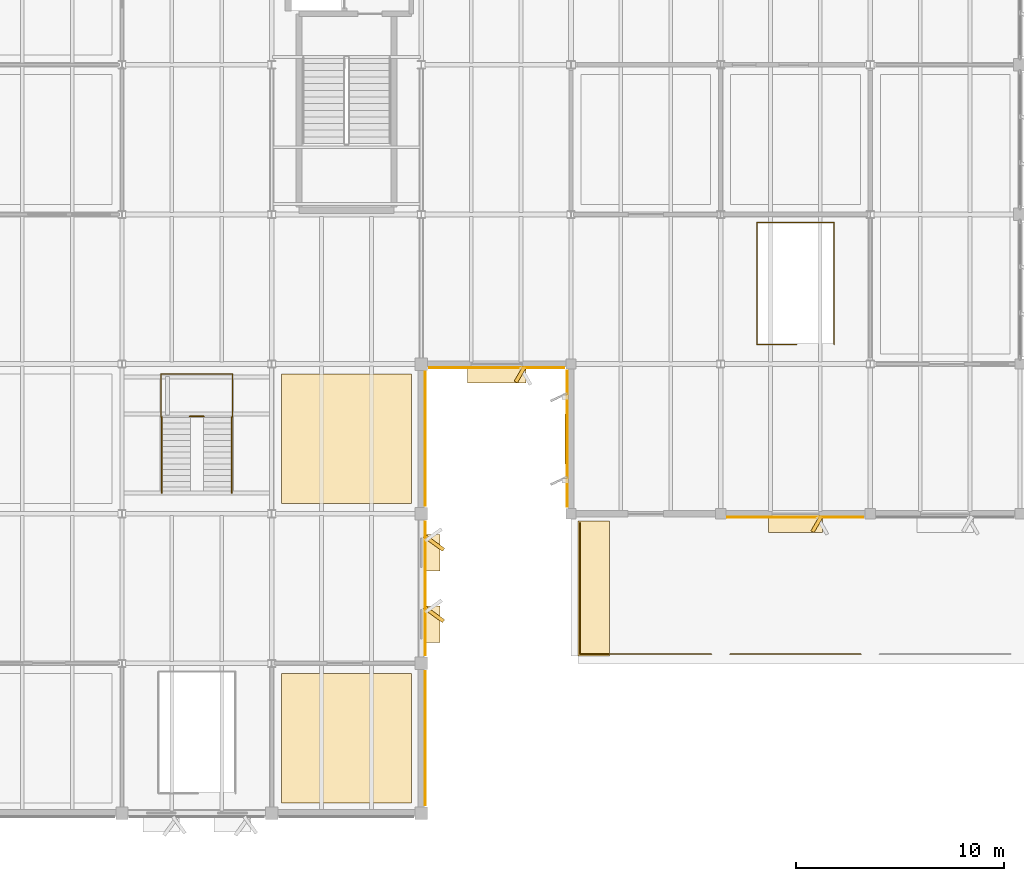
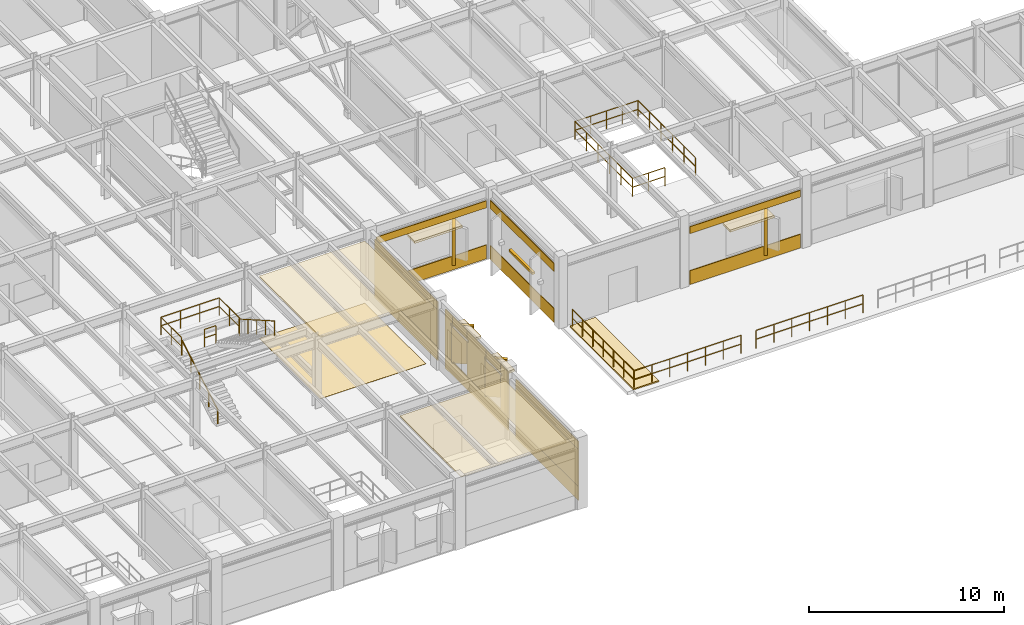
# One storey, part 82 of 92: 29 coverings, 8 railings, 1 shading device.
"""IFC4 building model written with IfcOpenShell, lengths in metres."""

from ifc_helpers import new_model, si_unit, direction, frame, frame_2d, origin, origin_2d, place, context, subcontext, project, spatial, polyline, rectangle, circle, outline, extrude, material, layer, layer_set, type_object, element, save


model = new_model("IFC4")

# Units and contexts
model_context = context("Model", 3, precision=1e-05, world=origin(), true_north=direction((0.0, 1.0)))
body_context = subcontext(model_context, "Body", "Model", "MODEL_VIEW")
ifc_project = project(units=[si_unit("LENGTHUNIT", "METRE"), si_unit("AREAUNIT", "SQUARE_METRE"), si_unit("VOLUMEUNIT", "CUBIC_METRE"), si_unit("PLANEANGLEUNIT", "RADIAN"), si_unit("MASSUNIT", "GRAM", prefix="KILO")], contexts=[model_context])

# Site, building, storey
site_placement = place(None, origin())
site = spatial("IfcSite", under=ifc_project, at=site_placement, CompositionType="ELEMENT")
building_placement = place(site_placement, origin())
building = spatial("IfcBuilding", under=site, at=building_placement, Name="Sillqori Civic Hall", CompositionType="ELEMENT")
storey_placement = place(building_placement, frame((0.0, 0.0, 5.39990234375)))
storey = spatial("IfcBuildingStorey", under=building, at=storey_placement, Name="L02", CompositionType="ELEMENT", Elevation=5.39990234375)

# Coverings
ifc_material_1 = material(Name="Perforated Metal Coffer Panel 70", Category="aluminium")
ifc_layer_1 = layer(ifc_material_1, 0.070068359375)
ifc_layer_set_1 = layer_set([ifc_layer_1], Name="Perforated Metal Coffer Panel 70")
covering_type_1 = type_object("IfcCoveringType", Name="COV-CEIL-M70", PredefinedType="CEILING", material=ifc_layer_set_1)
covering_1_placement = place(storey_placement, frame((0.0, 0.0, 3.8310546875)))
element("IfcCovering", 1, at=covering_1_placement, inside=storey, type_object=covering_type_1, Name="Building Permits Technical Review Counter L02-12 acoustic ceiling", PredefinedType="CEILING", context=body_context, shape_type="SweptSolid", body=[
    extrude(outline(polyline([(108.47998046875, 7.679931640625), (114.719970703125, 7.679931640625), (114.719970703125, 13.919921875), (108.47998046875, 13.919921875), (108.47998046875, 7.679931640625)])), origin(), (0.0, 0.0, 1.0), 0.070068359375),
])
ifc_material_2 = material(Name="Acoustic Wool Metal Plank 76", Category="aluminium")
ifc_layer_2 = layer(ifc_material_2, 0.075927734375)
ifc_layer_set_2 = layer_set([ifc_layer_2], Name="Acoustic Wool Metal Plank 76")
covering_type_2 = type_object("IfcCoveringType", Name="COV-CEIL-M76", PredefinedType="CEILING", material=ifc_layer_set_2)
covering_2_placement = place(storey_placement, frame((0.0, 0.0, 3.8251953125)))
element("IfcCovering", 2, at=covering_2_placement, inside=storey, type_object=covering_type_2, Name="Community Mediation and Legal Aid Room L02-13 acoustic ceiling", PredefinedType="CEILING", context=body_context, shape_type="SweptSolid", body=[
    extrude(outline(polyline([(108.47998046875, 22.080078125), (114.719970703125, 22.080078125), (114.719970703125, 28.320068359375), (108.47998046875, 28.320068359375), (108.47998046875, 22.080078125)])), origin(), (0.0, 0.0, 1.0), 0.075927734375),
])
ifc_material_3 = material(Name="Cochabamba Honed Limestone Cladding", Category="masonry")
ifc_layer_3 = layer(ifc_material_3, 0.044921875)
ifc_layer_set_3 = layer_set([ifc_layer_3], Name="Cochabamba Honed Limestone Cladding")
covering_type_3 = type_object("IfcCoveringType", Name="COV-CLAD-LIME", PredefinedType="CLADDING", material=ifc_layer_set_3)
covering_3_placement = place(storey_placement, frame((115.3798828125, 14.02001953125, 0.0400390625), z_axis=(0.0, 0.0, 1.0), x_axis=(0.0, -1.0, 0.0)))
element("IfcCovering", 3, at=covering_3_placement, inside=storey, type_object=covering_type_3, Name="L02 limestone spandrel cladding L02-15-01-E", PredefinedType="CLADDING", context=body_context, shape_type="SweptSolid", body=[
    extrude(rectangle(XDim=6.43994140625, YDim=0.044921875, at=frame_2d((3.219970703125, 0.0))), origin(), (0.0, 0.0, 1.0), 0.860107421875),
])
covering_4_placement = place(storey_placement, frame((115.3798828125, 14.02001953125, 3.22021484375), z_axis=(0.0, 0.0, 1.0), x_axis=(0.0, -1.0, 0.0)))
element("IfcCovering", 4, at=covering_4_placement, inside=storey, type_object=covering_type_3, Name="L02 limestone frieze cladding L02-15-01-E", PredefinedType="CLADDING", context=body_context, shape_type="SweptSolid", body=[
    extrude(rectangle(XDim=6.43994140625, YDim=0.044921875, at=frame_2d((3.219970703125, 0.0))), origin(), (0.0, 0.0, 1.0), 0.5068359375),
])
covering_5_placement = place(storey_placement, frame((115.3798828125, 14.02001953125, 0.900146484375), z_axis=(0.0, 0.0, 1.0), x_axis=(0.0, -1.0, 0.0)))
element("IfcCovering", 5, at=covering_5_placement, inside=storey, type_object=covering_type_3, Name="L02 Wedge Hall limestone pier cladding L02-15-01-E.1", PredefinedType="CLADDING", context=body_context, shape_type="SweptSolid", body=[
    extrude(rectangle(XDim=6.43994140625, YDim=0.044921875, at=frame_2d((3.219970703125, 0.0))), origin(), (0.0, 0.0, 1.0), 2.826904296875),
])
covering_6_placement = place(storey_placement, frame((115.3798828125, 21.219970703125, 0.0400390625), z_axis=(0.0, 0.0, 1.0), x_axis=(0.0, -1.0, 0.0)))
element("IfcCovering", 6, at=covering_6_placement, inside=storey, type_object=covering_type_3, Name="L02 limestone spandrel cladding L02-15-02-E", PredefinedType="CLADDING", context=body_context, shape_type="SweptSolid", body=[
    extrude(rectangle(XDim=6.43994140625, YDim=0.044921875, at=frame_2d((3.219970703125, 0.0))), origin(), (0.0, 0.0, 1.0), 0.860107421875),
])
covering_7_placement = place(storey_placement, frame((115.3798828125, 21.219970703125, 3.22021484375), z_axis=(0.0, 0.0, 1.0), x_axis=(0.0, -1.0, 0.0)))
element("IfcCovering", 7, at=covering_7_placement, inside=storey, type_object=covering_type_3, Name="L02 limestone frieze cladding L02-15-02-E", PredefinedType="CLADDING", context=body_context, shape_type="SweptSolid", body=[
    extrude(rectangle(XDim=6.43994140625, YDim=0.044921875, at=frame_2d((3.219970703125, 0.0))), origin(), (0.0, 0.0, 1.0), 0.5068359375),
])
covering_8_placement = place(storey_placement, frame((115.3798828125, 21.219970703125, 0.900146484375), z_axis=(0.0, 0.0, 1.0), x_axis=(0.0, -1.0, 0.0)))
element("IfcCovering", 8, at=covering_8_placement, inside=storey, type_object=covering_type_3, Name="L02 Wedge Hall limestone pier cladding L02-15-02-E.1", PredefinedType="CLADDING", context=body_context, shape_type="SweptSolid", body=[
    extrude(rectangle(XDim=0.763916015625, YDim=0.044921875, at=frame_2d((0.3818359375, 0.0))), origin(), (0.0, 0.0, 1.0), 2.826904296875),
])
covering_9_placement = place(storey_placement, frame((115.3798828125, 18.97607421875, 0.900146484375), z_axis=(0.0, 0.0, 1.0), x_axis=(0.0, -1.0, 0.0)))
element("IfcCovering", 9, at=covering_9_placement, inside=storey, type_object=covering_type_3, Name="L02 Wedge Hall limestone pier cladding L02-15-02-E.2", PredefinedType="CLADDING", context=body_context, shape_type="SweptSolid", body=[
    extrude(rectangle(XDim=1.9521484375, YDim=0.044921875, at=frame_2d((0.97607421875, 0.0))), origin(), (0.0, 0.0, 1.0), 2.826904296875),
])
covering_10_placement = place(storey_placement, frame((115.3798828125, 15.5439453125, 0.900146484375), z_axis=(0.0, 0.0, 1.0), x_axis=(0.0, -1.0, 0.0)))
element("IfcCovering", 10, at=covering_10_placement, inside=storey, type_object=covering_type_3, Name="L02 Wedge Hall limestone pier cladding L02-15-02-E.3", PredefinedType="CLADDING", context=body_context, shape_type="SweptSolid", body=[
    extrude(rectangle(XDim=0.763916015625, YDim=0.044921875, at=frame_2d((0.3818359375, 0.0))), origin(), (0.0, 0.0, 1.0), 2.826904296875),
])
covering_11_placement = place(storey_placement, frame((115.340087890625, 20.535888671875, 0.830078125), z_axis=(0.0, 0.0, 1.0), x_axis=(0.809103160934, -0.587666635914, 0.0)))
element("IfcCovering", 11, at=covering_11_placement, inside=storey, type_object=covering_type_3, Name="Sawtooth limestone angled reveal cheek L02-15-02-E.1", PredefinedType="CLADDING", context=body_context, shape_type="SweptSolid", body=[
    extrude(rectangle(XDim=1.14990234375, YDim=0.179931640625, at=frame_2d((0.574951171875, 0.0))), origin(), (0.0, 0.0, 1.0), 2.39990234375),
])
covering_12_placement = place(storey_placement, frame((115.719970703125, 20.595947265625, 3.090087890625), z_axis=(0.0, 0.0, 1.0), x_axis=(0.0, -1.0, 0.0)))
element("IfcCovering", 12, at=covering_12_placement, inside=storey, type_object=covering_type_3, Name="Sawtooth limestone window hood L02-15-02-E.1", PredefinedType="CLADDING", context=body_context, shape_type="SweptSolid", body=[
    extrude(rectangle(XDim=1.760009765625, YDim=0.780029296875, at=frame_2d((0.8798828125, 0.0))), origin(), (0.0, 0.0, 1.0), 0.139892578125),
])
covering_13_placement = place(storey_placement, frame((115.340087890625, 17.10400390625, 0.830078125), z_axis=(0.0, 0.0, 1.0), x_axis=(0.809002213092, -0.587805596445, 0.0)))
element("IfcCovering", 13, at=covering_13_placement, inside=storey, type_object=covering_type_3, Name="Sawtooth limestone angled reveal cheek L02-15-02-E.2", PredefinedType="CLADDING", context=body_context, shape_type="SweptSolid", body=[
    extrude(rectangle(XDim=1.150146484375, YDim=0.179931640625, at=frame_2d((0.5751953125, 0.0))), origin(), (0.0, 0.0, 1.0), 2.39990234375),
])
covering_14_placement = place(storey_placement, frame((115.719970703125, 17.1640625, 3.090087890625), z_axis=(0.0, 0.0, 1.0), x_axis=(0.0, -1.0, 0.0)))
element("IfcCovering", 14, at=covering_14_placement, inside=storey, type_object=covering_type_3, Name="Sawtooth limestone window hood L02-15-02-E.2", PredefinedType="CLADDING", context=body_context, shape_type="SweptSolid", body=[
    extrude(rectangle(XDim=1.760009765625, YDim=0.780029296875, at=frame_2d((0.8798828125, 0.0))), origin(), (0.0, 0.0, 1.0), 0.139892578125),
])
covering_15_placement = place(storey_placement, frame((115.3798828125, 28.419921875, 0.0400390625), z_axis=(0.0, 0.0, 1.0), x_axis=(0.0, -1.0, 0.0)))
element("IfcCovering", 15, at=covering_15_placement, inside=storey, type_object=covering_type_3, Name="L02 limestone spandrel cladding L02-15-03-E", PredefinedType="CLADDING", context=body_context, shape_type="SweptSolid", body=[
    extrude(rectangle(XDim=6.43994140625, YDim=0.044921875, at=frame_2d((3.219970703125, 0.0))), origin(), (0.0, 0.0, 1.0), 0.860107421875),
])
covering_16_placement = place(storey_placement, frame((115.3798828125, 28.419921875, 3.22021484375), z_axis=(0.0, 0.0, 1.0), x_axis=(0.0, -1.0, 0.0)))
element("IfcCovering", 16, at=covering_16_placement, inside=storey, type_object=covering_type_3, Name="L02 limestone frieze cladding L02-15-03-E", PredefinedType="CLADDING", context=body_context, shape_type="SweptSolid", body=[
    extrude(rectangle(XDim=6.43994140625, YDim=0.044921875, at=frame_2d((3.219970703125, 0.0))), origin(), (0.0, 0.0, 1.0), 0.5068359375),
])
covering_17_placement = place(storey_placement, frame((115.3798828125, 28.419921875, 0.900146484375), z_axis=(0.0, 0.0, 1.0), x_axis=(0.0, -1.0, 0.0)))
element("IfcCovering", 17, at=covering_17_placement, inside=storey, type_object=covering_type_3, Name="L02 Wedge Hall limestone pier cladding L02-15-03-E.1", PredefinedType="CLADDING", context=body_context, shape_type="SweptSolid", body=[
    extrude(rectangle(XDim=6.43994140625, YDim=0.044921875, at=frame_2d((3.219970703125, 0.0))), origin(), (0.0, 0.0, 1.0), 2.826904296875),
])
covering_18_placement = place(storey_placement, frame((122.070068359375, 28.6298828125, 0.0400390625), z_axis=(0.0, 0.0, 1.0), x_axis=(-1.0, 0.0, 0.0)))
element("IfcCovering", 18, at=covering_18_placement, inside=storey, type_object=covering_type_3, Name="L02 limestone spandrel cladding L02-16-04-S", PredefinedType="CLADDING", context=body_context, shape_type="SweptSolid", body=[
    extrude(rectangle(XDim=6.489990234375, YDim=0.044921875, at=frame_2d((3.2451171875, 0.0))), origin(), (0.0, 0.0, 1.0), 0.860107421875),
])
covering_19_placement = place(storey_placement, frame((122.070068359375, 28.6298828125, 3.22021484375), z_axis=(0.0, 0.0, 1.0), x_axis=(-1.0, 0.0, 0.0)))
element("IfcCovering", 19, at=covering_19_placement, inside=storey, type_object=covering_type_3, Name="L02 limestone frieze cladding L02-16-04-S", PredefinedType="CLADDING", context=body_context, shape_type="SweptSolid", body=[
    extrude(rectangle(XDim=6.489990234375, YDim=0.044921875, at=frame_2d((3.2451171875, 0.0))), origin(), (0.0, 0.0, 1.0), 0.43798828125),
])
covering_20_placement = place(storey_placement, frame((120.169921875, 28.669921875, 0.830078125), z_axis=(0.0, 0.0, 1.0), x_axis=(-0.499846793097, -0.866113839764, 0.0)))
element("IfcCovering", 20, at=covering_20_placement, inside=storey, type_object=covering_type_3, Name="Sawtooth limestone angled reveal cheek L02-16-04-S.1", PredefinedType="CLADDING", context=body_context, shape_type="SweptSolid", body=[
    extrude(rectangle(XDim=0.849853515625, YDim=0.179931640625, at=frame_2d((0.4248046875, 0.0))), origin(), (0.0, 0.0, 1.0), 2.35009765625),
])
covering_21_placement = place(storey_placement, frame((120.22998046875, 28.2900390625, 3.0400390625), z_axis=(0.0, 0.0, 1.0), x_axis=(-1.0, 0.0, 0.0)))
element("IfcCovering", 21, at=covering_21_placement, inside=storey, type_object=covering_type_3, Name="Sawtooth limestone window hood L02-16-04-S.1", PredefinedType="CLADDING", context=body_context, shape_type="SweptSolid", body=[
    extrude(rectangle(XDim=2.81005859375, YDim=0.780029296875, at=frame_2d((1.405029296875, 0.0))), origin(), (0.0, 0.0, 1.0), 0.14013671875),
])
covering_22_placement = place(storey_placement, frame((122.22998046875, 21.929931640625, 0.0400390625), z_axis=(0.0, 0.0, 1.0), x_axis=(0.0, 1.0, 0.0)))
element("IfcCovering", 22, at=covering_22_placement, inside=storey, type_object=covering_type_3, Name="L02 limestone spandrel cladding L02-17-03-W", PredefinedType="CLADDING", context=body_context, shape_type="SweptSolid", body=[
    extrude(rectangle(XDim=6.5400390625, YDim=0.044921875, at=frame_2d((3.27001953125, 0.0))), origin(), (0.0, 0.0, 1.0), 0.860107421875),
])
covering_23_placement = place(storey_placement, frame((122.22998046875, 21.929931640625, 3.22021484375), z_axis=(0.0, 0.0, 1.0), x_axis=(0.0, 1.0, 0.0)))
element("IfcCovering", 23, at=covering_23_placement, inside=storey, type_object=covering_type_3, Name="L02 limestone frieze cladding L02-17-03-W", PredefinedType="CLADDING", context=body_context, shape_type="SweptSolid", body=[
    extrude(rectangle(XDim=6.5400390625, YDim=0.044921875, at=frame_2d((3.27001953125, 0.0))), origin(), (0.0, 0.0, 1.0), 0.5068359375),
])
covering_24_placement = place(storey_placement, frame((136.469970703125, 21.429931640625, 0.0400390625), z_axis=(0.0, 0.0, 1.0), x_axis=(-1.0, 0.0, 0.0)))
element("IfcCovering", 24, at=covering_24_placement, inside=storey, type_object=covering_type_3, Name="L02 limestone spandrel cladding L02-18-03-S", PredefinedType="CLADDING", context=body_context, shape_type="SweptSolid", body=[
    extrude(rectangle(XDim=6.5400390625, YDim=0.044921875, at=frame_2d((3.27001953125, 0.0))), origin(), (0.0, 0.0, 1.0), 0.860107421875),
])
covering_25_placement = place(storey_placement, frame((136.469970703125, 21.429931640625, 3.22021484375), z_axis=(0.0, 0.0, 1.0), x_axis=(-1.0, 0.0, 0.0)))
element("IfcCovering", 25, at=covering_25_placement, inside=storey, type_object=covering_type_3, Name="L02 limestone frieze cladding L02-18-03-S", PredefinedType="CLADDING", context=body_context, shape_type="SweptSolid", body=[
    extrude(rectangle(XDim=6.5400390625, YDim=0.044921875, at=frame_2d((3.27001953125, 0.0))), origin(), (0.0, 0.0, 1.0), 0.427978515625),
])
covering_26_placement = place(storey_placement, frame((134.445068359375, 21.469970703125, 0.830078125), z_axis=(0.0, 0.0, 1.0), x_axis=(-0.500062241894, -0.865989465428, 0.0)))
element("IfcCovering", 26, at=covering_26_placement, inside=storey, type_object=covering_type_3, Name="Sawtooth limestone angled reveal cheek L02-18-03-S.1", PredefinedType="CLADDING", context=body_context, shape_type="SweptSolid", body=[
    extrude(rectangle(XDim=0.85009765625, YDim=0.179931640625, at=frame_2d((0.425048828125, 0.0))), origin(), (0.0, 0.0, 1.0), 2.35009765625),
])
covering_27_placement = place(storey_placement, frame((134.5048828125, 21.090087890625, 3.0400390625), z_axis=(0.0, 0.0, 1.0), x_axis=(-1.0, 0.0, 0.0)))
element("IfcCovering", 27, at=covering_27_placement, inside=storey, type_object=covering_type_3, Name="Sawtooth limestone window hood L02-18-03-S.1", PredefinedType="CLADDING", context=body_context, shape_type="SweptSolid", body=[
    extrude(rectangle(XDim=2.60986328125, YDim=0.780029296875, at=frame_2d((1.304931640625, 0.0))), origin(), (0.0, 0.0, 1.0), 0.14013671875),
])
ifc_material_4 = material(Name="Seamless Polyurethane Acoustic Screed 12", Category="resin")
ifc_layer_4 = layer(ifc_material_4, 0.011962890625)
ifc_layer_set_4 = layer_set([ifc_layer_4], Name="Seamless Polyurethane Acoustic Screed 12")
covering_type_4 = type_object("IfcCoveringType", Name="COV-FLR-R12", PredefinedType="FLOORING", material=ifc_layer_set_4)
covering_28_placement = place(storey_placement, origin())
element("IfcCovering", 28, at=covering_28_placement, inside=storey, type_object=covering_type_4, Name="Community Mediation and Legal Aid Room L02-13 floor finish", PredefinedType="FLOORING", context=body_context, shape_type="SweptSolid", body=[
    extrude(outline(polyline([(108.47998046875, 22.080078125), (114.719970703125, 22.080078125), (114.719970703125, 28.320068359375), (108.47998046875, 28.320068359375), (108.47998046875, 22.080078125)])), origin(), (0.0, 0.0, 1.0), 0.01220703125),
])
ifc_material_5 = material(Name="Extensive Andean Sedum Roof Substrate", Category="earth")
ifc_layer_5 = layer(ifc_material_5, 0.080078125)
ifc_layer_set_5 = layer_set([ifc_layer_5], Name="Extensive Andean Sedum Roof Substrate")
covering_type_5 = type_object("IfcCoveringType", Name="COV-ROOF-GRN", PredefinedType="ROOFING", material=ifc_layer_set_5)
covering_29_placement = place(storey_placement, origin())
element("IfcCovering", 29, at=covering_29_placement, inside=storey, type_object=covering_type_5, Name="Library South Reading Terrace planted planter bed", PredefinedType="ROOFING", context=body_context, shape_type="SweptSolid", body=[
    extrude(outline(polyline([(122.75, 14.75), (124.25, 14.75), (124.25, 21.25), (122.75, 21.25), (122.75, 14.75)])), origin(), (0.0, 0.0, 1.0), 0.080078125),
])

# Railings
ifc_material_6 = material(Name="Architectural Bronze and Tempered Glass Balustrade", Category="glass")
ifc_layer_6 = layer(ifc_material_6, 0.080078125)
ifc_layer_set_6 = layer_set([ifc_layer_6], Name="Architectural Bronze and Tempered Glass Balustrade")
railing_type_1 = type_object("IfcRailingType", Name="RLG-BALU-115", PredefinedType="BALUSTRADE", material=ifc_layer_set_6)
railing_1_placement = place(storey_placement, frame((122.840087890625, 14.840087890625, 0.0)))
element("IfcRailing", 30, at=railing_1_placement, inside=storey, type_object=railing_type_1, Name="Library South Reading Terrace perimeter guard S-01", PredefinedType="BALUSTRADE", context=body_context, shape_type="SweptSolid", body=[
    extrude(circle(Radius=0.02392578125, at=origin_2d()), frame((0.0, 0.0, 1.1259765625), z_axis=(1.0, 0.0, 0.0), x_axis=(0.0, 1.0, 0.0)), (0.0, 0.0, 1.0), 6.31982421875),
    extrude(circle(Radius=0.02392578125, at=origin_2d()), frame((0.0, 0.0, 0.574951171875), z_axis=(1.0, 0.0, 0.0), x_axis=(0.0, 1.0, 0.0)), (0.0, 0.0, 1.0), 6.31982421875),
    extrude(circle(Radius=0.02099609375, at=origin_2d()), origin(), (0.0, 0.0, 1.0), 1.101806640625),
    extrude(circle(Radius=0.02099609375, at=origin_2d()), frame((1.05322265625, 0.0, 0.0)), (0.0, 0.0, 1.0), 1.101806640625),
    extrude(circle(Radius=0.02099609375, at=origin_2d()), frame((2.106689453125, 0.0, 0.0)), (0.0, 0.0, 1.0), 1.101806640625),
    extrude(circle(Radius=0.02099609375, at=origin_2d()), frame((3.159912109375, 0.0, 0.0)), (0.0, 0.0, 1.0), 1.101806640625),
    extrude(circle(Radius=0.02099609375, at=origin_2d()), frame((4.213134765625, 0.0, 0.0)), (0.0, 0.0, 1.0), 1.101806640625),
    extrude(circle(Radius=0.02099609375, at=origin_2d()), frame((5.2666015625, 0.0, 0.0)), (0.0, 0.0, 1.0), 1.101806640625),
    extrude(circle(Radius=0.02099609375, at=origin_2d()), frame((6.31982421875, 0.0, 0.0)), (0.0, 0.0, 1.0), 1.101806640625),
])
railing_2_placement = place(storey_placement, frame((130.0400390625, 14.840087890625, 0.0)))
element("IfcRailing", 31, at=railing_2_placement, inside=storey, type_object=railing_type_1, Name="Library South Reading Terrace perimeter guard S-02", PredefinedType="BALUSTRADE", context=body_context, shape_type="SweptSolid", body=[
    extrude(circle(Radius=0.02392578125, at=origin_2d()), frame((0.0, 0.0, 1.1259765625), z_axis=(1.0, 0.0, 0.0), x_axis=(0.0, 1.0, 0.0)), (0.0, 0.0, 1.0), 6.320068359375),
    extrude(circle(Radius=0.02392578125, at=origin_2d()), frame((0.0, 0.0, 0.574951171875), z_axis=(1.0, 0.0, 0.0), x_axis=(0.0, 1.0, 0.0)), (0.0, 0.0, 1.0), 6.320068359375),
    extrude(circle(Radius=0.02099609375, at=origin_2d()), origin(), (0.0, 0.0, 1.0), 1.101806640625),
    extrude(circle(Radius=0.02099609375, at=origin_2d()), frame((1.05322265625, 0.0, 0.0)), (0.0, 0.0, 1.0), 1.101806640625),
    extrude(circle(Radius=0.02099609375, at=origin_2d()), frame((2.106689453125, 0.0, 0.0)), (0.0, 0.0, 1.0), 1.101806640625),
    extrude(circle(Radius=0.02099609375, at=origin_2d()), frame((3.16015625, 0.0, 0.0)), (0.0, 0.0, 1.0), 1.101806640625),
    extrude(circle(Radius=0.02099609375, at=origin_2d()), frame((4.21337890625, 0.0, 0.0)), (0.0, 0.0, 1.0), 1.101806640625),
    extrude(circle(Radius=0.02099609375, at=origin_2d()), frame((5.2666015625, 0.0, 0.0)), (0.0, 0.0, 1.0), 1.101806640625),
    extrude(circle(Radius=0.02099609375, at=origin_2d()), frame((6.320068359375, 0.0, 0.0)), (0.0, 0.0, 1.0), 1.101806640625),
])
railing_3_placement = place(storey_placement, frame((122.840087890625, 14.840087890625, 0.0)))
element("IfcRailing", 32, at=railing_3_placement, inside=storey, type_object=railing_type_1, Name="Library South Reading Terrace perimeter guard W-05", PredefinedType="BALUSTRADE", context=body_context, shape_type="SweptSolid", body=[
    extrude(circle(Radius=0.02392578125, at=origin_2d()), frame((0.0, 0.0, 1.1259765625), z_axis=(0.0, 1.0, 0.0), x_axis=(-1.0, 0.0, 0.0)), (0.0, 0.0, 1.0), 6.31982421875),
    extrude(circle(Radius=0.02392578125, at=origin_2d()), frame((0.0, 0.0, 0.574951171875), z_axis=(0.0, 1.0, 0.0), x_axis=(-1.0, 0.0, 0.0)), (0.0, 0.0, 1.0), 6.31982421875),
    extrude(circle(Radius=0.02099609375, at=origin_2d()), origin(), (0.0, 0.0, 1.0), 1.101806640625),
    extrude(circle(Radius=0.02099609375, at=origin_2d()), frame((0.0, 1.05322265625, 0.0)), (0.0, 0.0, 1.0), 1.101806640625),
    extrude(circle(Radius=0.02099609375, at=origin_2d()), frame((0.0, 2.106689453125, 0.0)), (0.0, 0.0, 1.0), 1.101806640625),
    extrude(circle(Radius=0.02099609375, at=origin_2d()), frame((0.0, 3.159912109375, 0.0)), (0.0, 0.0, 1.0), 1.101806640625),
    extrude(circle(Radius=0.02099609375, at=origin_2d()), frame((0.0, 4.213134765625, 0.0)), (0.0, 0.0, 1.0), 1.101806640625),
    extrude(circle(Radius=0.02099609375, at=origin_2d()), frame((0.0, 5.2666015625, 0.0)), (0.0, 0.0, 1.0), 1.101806640625),
    extrude(circle(Radius=0.02099609375, at=origin_2d()), frame((0.0, 6.31982421875, 0.0)), (0.0, 0.0, 1.0), 1.101806640625),
])
railing_4_placement = place(storey_placement, frame((133.260009765625, 29.739990234375, 0.0)))
element("IfcRailing", 33, at=railing_4_placement, inside=storey, type_object=railing_type_1, Name="Members Library Reading Stair L01-L02 upper atrium well balustrade", PredefinedType="BALUSTRADE", context=body_context, shape_type="SweptSolid", body=[
    extrude(circle(Radius=0.02392578125, at=origin_2d()), frame((0.0, 0.0, 1.1259765625), z_axis=(-1.0, 0.0, 0.0), x_axis=(0.0, -1.0, 0.0)), (0.0, 0.0, 1.0), 1.919921875),
    extrude(circle(Radius=0.02392578125, at=origin_2d()), frame((0.0, 0.0, 0.574951171875), z_axis=(-1.0, 0.0, 0.0), x_axis=(0.0, -1.0, 0.0)), (0.0, 0.0, 1.0), 1.919921875),
    extrude(circle(Radius=0.02392578125, at=origin_2d()), frame((-1.919921875, 0.0, 1.1259765625), z_axis=(0.0, 1.0, 0.0), x_axis=(-1.0, 0.0, 0.0)), (0.0, 0.0, 1.0), 5.8701171875),
    extrude(circle(Radius=0.02392578125, at=origin_2d()), frame((-1.919921875, 0.0, 0.574951171875), z_axis=(0.0, 1.0, 0.0), x_axis=(-1.0, 0.0, 0.0)), (0.0, 0.0, 1.0), 5.8701171875),
    extrude(circle(Radius=0.02392578125, at=origin_2d()), frame((-1.919921875, 5.8701171875, 1.1259765625), z_axis=(1.0, 0.0, 0.0), x_axis=(0.0, 1.0, 0.0)), (0.0, 0.0, 1.0), 3.719970703125),
    extrude(circle(Radius=0.02392578125, at=origin_2d()), frame((-1.919921875, 5.8701171875, 0.574951171875), z_axis=(1.0, 0.0, 0.0), x_axis=(0.0, 1.0, 0.0)), (0.0, 0.0, 1.0), 3.719970703125),
    extrude(circle(Radius=0.02392578125, at=origin_2d()), frame((1.800048828125, 5.8701171875, 1.1259765625), z_axis=(0.0, -1.0, 0.0), x_axis=(1.0, 0.0, 0.0)), (0.0, 0.0, 1.0), 5.8701171875),
    extrude(circle(Radius=0.02392578125, at=origin_2d()), frame((1.800048828125, 5.8701171875, 0.574951171875), z_axis=(0.0, -1.0, 0.0), x_axis=(1.0, 0.0, 0.0)), (0.0, 0.0, 1.0), 5.8701171875),
    extrude(circle(Radius=0.02099609375, at=origin_2d()), origin(), (0.0, 0.0, 1.0), 1.101806640625),
    extrude(circle(Radius=0.02099609375, at=origin_2d()), frame((-0.9599609375, 0.0, 0.0)), (0.0, 0.0, 1.0), 1.101806640625),
    extrude(circle(Radius=0.02099609375, at=origin_2d()), frame((-1.919921875, 0.0, 0.0)), (0.0, 0.0, 1.0), 1.101806640625),
    extrude(circle(Radius=0.02099609375, at=origin_2d()), frame((-1.919921875, 1.174072265625, 0.0)), (0.0, 0.0, 1.0), 1.101806640625),
    extrude(circle(Radius=0.02099609375, at=origin_2d()), frame((-1.919921875, 2.34814453125, 0.0)), (0.0, 0.0, 1.0), 1.101806640625),
    extrude(circle(Radius=0.02099609375, at=origin_2d()), frame((-1.919921875, 3.52197265625, 0.0)), (0.0, 0.0, 1.0), 1.101806640625),
    extrude(circle(Radius=0.02099609375, at=origin_2d()), frame((-1.919921875, 4.696044921875, 0.0)), (0.0, 0.0, 1.0), 1.101806640625),
    extrude(circle(Radius=0.02099609375, at=origin_2d()), frame((-1.919921875, 5.8701171875, 0.0)), (0.0, 0.0, 1.0), 1.101806640625),
    extrude(circle(Radius=0.02099609375, at=origin_2d()), frame((-0.989990234375, 5.8701171875, 0.0)), (0.0, 0.0, 1.0), 1.101806640625),
    extrude(circle(Radius=0.02099609375, at=origin_2d()), frame((-0.06005859375, 5.8701171875, 0.0)), (0.0, 0.0, 1.0), 1.101806640625),
    extrude(circle(Radius=0.02099609375, at=origin_2d()), frame((0.8701171875, 5.8701171875, 0.0)), (0.0, 0.0, 1.0), 1.101806640625),
    extrude(circle(Radius=0.02099609375, at=origin_2d()), frame((1.800048828125, 5.8701171875, 0.0)), (0.0, 0.0, 1.0), 1.101806640625),
    extrude(circle(Radius=0.02099609375, at=origin_2d()), frame((1.800048828125, 4.696044921875, 0.0)), (0.0, 0.0, 1.0), 1.101806640625),
    extrude(circle(Radius=0.02099609375, at=origin_2d()), frame((1.800048828125, 3.52197265625, 0.0)), (0.0, 0.0, 1.0), 1.101806640625),
    extrude(circle(Radius=0.02099609375, at=origin_2d()), frame((1.800048828125, 2.34814453125, 0.0)), (0.0, 0.0, 1.0), 1.101806640625),
    extrude(circle(Radius=0.02099609375, at=origin_2d()), frame((1.800048828125, 1.174072265625, 0.0)), (0.0, 0.0, 1.0), 1.101806640625),
    extrude(circle(Radius=0.02099609375, at=origin_2d()), frame((1.800048828125, 0.0, 0.0)), (0.0, 0.0, 1.0), 1.101806640625),
])
ifc_material_7 = material(Name="Brushed Stainless Steel 316 Handrail", Category="steel")
ifc_layer_7 = layer(ifc_material_7, 0.044921875)
ifc_layer_set_7 = layer_set([ifc_layer_7], Name="Brushed Stainless Steel 316 Handrail")
railing_type_2 = type_object("IfcRailingType", Name="RLG-CORE-092", PredefinedType="HANDRAIL", material=ifc_layer_set_7)
railing_5_placement = place(storey_placement, frame((102.719970703125, 22.60009765625, 0.160888671875)))
element("IfcRailing", 34, at=railing_5_placement, inside=storey, type_object=railing_type_2, Name="Wedge Atrium East Gallery Stair L02-L03 handrail W", PredefinedType="HANDRAIL", context=body_context, shape_type="SweptSolid", body=[
    extrude(circle(Radius=0.02392578125, at=origin_2d()), frame((0.0, 0.0, 0.89599609375), z_axis=(0.0, 0.867300072446, 0.497785681127), x_axis=(-1.0, 0.0, 0.0)), (0.0, 0.0, 1.0), 4.19677734375),
    extrude(circle(Radius=0.02099609375, at=origin_2d()), origin(), (0.0, 0.0, 1.0), 0.871826171875),
    extrude(circle(Radius=0.02099609375, at=origin_2d()), frame((0.0, 0.909912109375, 0.522216796875)), (0.0, 0.0, 1.0), 0.871826171875),
    extrude(circle(Radius=0.02099609375, at=origin_2d()), frame((0.0, 1.81982421875, 1.04443359375)), (0.0, 0.0, 1.0), 0.871826171875),
    extrude(circle(Radius=0.02099609375, at=origin_2d()), frame((0.0, 2.72998046875, 1.56689453125)), (0.0, 0.0, 1.0), 0.871826171875),
    extrude(circle(Radius=0.02099609375, at=origin_2d()), frame((0.0, 3.639892578125, 2.089111328125)), (0.0, 0.0, 1.0), 0.871826171875),
])
railing_6_placement = place(storey_placement, frame((106.080078125, 26.239990234375, 2.410888671875)))
element("IfcRailing", 35, at=railing_6_placement, inside=storey, type_object=railing_type_2, Name="Wedge Atrium East Gallery Stair L02-L03 handrail E", PredefinedType="HANDRAIL", context=body_context, shape_type="SweptSolid", body=[
    extrude(circle(Radius=0.02392578125, at=origin_2d()), frame((0.0, 0.0, 0.89599609375), z_axis=(0.0, -0.867300072446, 0.497785681127), x_axis=(1.0, 0.0, 0.0)), (0.0, 0.0, 1.0), 4.19677734375),
    extrude(circle(Radius=0.02099609375, at=origin_2d()), origin(), (0.0, 0.0, 1.0), 0.871826171875),
    extrude(circle(Radius=0.02099609375, at=origin_2d()), frame((0.0, -0.909912109375, 0.522216796875)), (0.0, 0.0, 1.0), 0.871826171875),
    extrude(circle(Radius=0.02099609375, at=origin_2d()), frame((0.0, -1.81982421875, 1.04443359375)), (0.0, 0.0, 1.0), 0.871826171875),
    extrude(circle(Radius=0.02099609375, at=origin_2d()), frame((0.0, -2.72998046875, 1.56689453125)), (0.0, 0.0, 1.0), 0.871826171875),
    extrude(circle(Radius=0.02099609375, at=origin_2d()), frame((0.0, -3.639892578125, 2.089111328125)), (0.0, 0.0, 1.0), 0.871826171875),
])
ifc_material_8 = material(Name="Stainless Steel 316 and Laminated Balustrade", Category="steel")
ifc_layer_8 = layer(ifc_material_8, 0.06005859375)
ifc_layer_set_8 = layer_set([ifc_layer_8], Name="Stainless Steel 316 and Laminated Balustrade")
railing_type_3 = type_object("IfcRailingType", Name="RLG-TERR-112", PredefinedType="GUARDRAIL", material=ifc_layer_set_8)
railing_7_placement = place(storey_placement, frame((102.679931640625, 26.239990234375, 2.25)))
element("IfcRailing", 36, at=railing_7_placement, inside=storey, type_object=railing_type_3, Name="Wedge Atrium East Gallery Stair L02-L03 half-landing guard", PredefinedType="GUARDRAIL", context=body_context, shape_type="SweptSolid", body=[
    extrude(circle(Radius=0.02392578125, at=origin_2d()), frame((0.0, 0.0, 1.09619140625), z_axis=(0.0, 1.0, 0.0), x_axis=(-1.0, 0.0, 0.0)), (0.0, 0.0, 1.0), 2.090087890625),
    extrude(circle(Radius=0.02392578125, at=origin_2d()), frame((0.0, 0.0, 0.56005859375), z_axis=(0.0, 1.0, 0.0), x_axis=(-1.0, 0.0, 0.0)), (0.0, 0.0, 1.0), 2.090087890625),
    extrude(circle(Radius=0.02392578125, at=origin_2d()), frame((0.0, 2.090087890625, 1.09619140625), z_axis=(1.0, 0.0, 0.0), x_axis=(0.0, 1.0, 0.0)), (0.0, 0.0, 1.0), 3.440185546875),
    extrude(circle(Radius=0.02392578125, at=origin_2d()), frame((0.0, 2.090087890625, 0.56005859375), z_axis=(1.0, 0.0, 0.0), x_axis=(0.0, 1.0, 0.0)), (0.0, 0.0, 1.0), 3.440185546875),
    extrude(circle(Radius=0.02392578125, at=origin_2d()), frame((3.440185546875, 2.090087890625, 1.09619140625), z_axis=(0.0, -1.0, 0.0), x_axis=(1.0, 0.0, 0.0)), (0.0, 0.0, 1.0), 2.090087890625),
    extrude(circle(Radius=0.02392578125, at=origin_2d()), frame((3.440185546875, 2.090087890625, 0.56005859375), z_axis=(0.0, -1.0, 0.0), x_axis=(1.0, 0.0, 0.0)), (0.0, 0.0, 1.0), 2.090087890625),
    extrude(circle(Radius=0.02099609375, at=origin_2d()), origin(), (0.0, 0.0, 1.0), 1.072021484375),
    extrude(circle(Radius=0.02099609375, at=origin_2d()), frame((0.0, 1.044921875, 0.0)), (0.0, 0.0, 1.0), 1.072021484375),
    extrude(circle(Radius=0.02099609375, at=origin_2d()), frame((0.0, 2.090087890625, 0.0)), (0.0, 0.0, 1.0), 1.072021484375),
    extrude(circle(Radius=0.02099609375, at=origin_2d()), frame((1.146728515625, 2.090087890625, 0.0)), (0.0, 0.0, 1.0), 1.072021484375),
    extrude(circle(Radius=0.02099609375, at=origin_2d()), frame((2.29345703125, 2.090087890625, 0.0)), (0.0, 0.0, 1.0), 1.072021484375),
    extrude(circle(Radius=0.02099609375, at=origin_2d()), frame((3.440185546875, 2.090087890625, 0.0)), (0.0, 0.0, 1.0), 1.072021484375),
    extrude(circle(Radius=0.02099609375, at=origin_2d()), frame((3.440185546875, 1.044921875, 0.0)), (0.0, 0.0, 1.0), 1.072021484375),
    extrude(circle(Radius=0.02099609375, at=origin_2d()), frame((3.440185546875, 0.0, 0.0)), (0.0, 0.0, 1.0), 1.072021484375),
])
railing_8_placement = place(storey_placement, frame((104.06005859375, 26.280029296875, 2.25)))
element("IfcRailing", 37, at=railing_8_placement, inside=storey, type_object=railing_type_3, Name="Wedge Atrium East Gallery Stair L02-L03 half-landing inner well guard", PredefinedType="GUARDRAIL", context=body_context, shape_type="SweptSolid", body=[
    extrude(circle(Radius=0.02392578125, at=origin_2d()), frame((0.0, 0.0, 1.09619140625), z_axis=(1.0, 0.0, 0.0), x_axis=(0.0, 1.0, 0.0)), (0.0, 0.0, 1.0), 0.679931640625),
    extrude(circle(Radius=0.02392578125, at=origin_2d()), frame((0.0, 0.0, 0.56005859375), z_axis=(1.0, 0.0, 0.0), x_axis=(0.0, 1.0, 0.0)), (0.0, 0.0, 1.0), 0.679931640625),
    extrude(circle(Radius=0.02099609375, at=origin_2d()), origin(), (0.0, 0.0, 1.0), 1.072021484375),
    extrude(circle(Radius=0.02099609375, at=origin_2d()), frame((0.679931640625, 0.0, 0.0)), (0.0, 0.0, 1.0), 1.072021484375),
])

# Shading device
ifc_material_9 = material(Name="Anodized Aluminium Solar Control Louvre", Category="aluminium")
shading_device_type = type_object("IfcShadingDeviceType", Name="SHD-CLAU-240", PredefinedType="SHUTTER", material=ifc_material_9)
shading_device_placement = place(storey_placement, frame((122.18994140625, 25.199951171875, 1.8134765625), z_axis=(0.0, 0.0, 1.0), x_axis=(0.0, 1.0, 0.0)))
element("IfcShadingDevice", 38, at=shading_device_placement, inside=storey, type_object=shading_device_type, Name="L02 pierced claustra screen L02-17-03-W", PredefinedType="SHUTTER", context=body_context, shape_type="SweptSolid", body=[
    extrude(rectangle(XDim=2.39990234375, YDim=0.159912109375, at=origin_2d()), origin(), (0.0, 0.0, 1.0), 0.139892578125),
])

save(model, "model.ifc")
